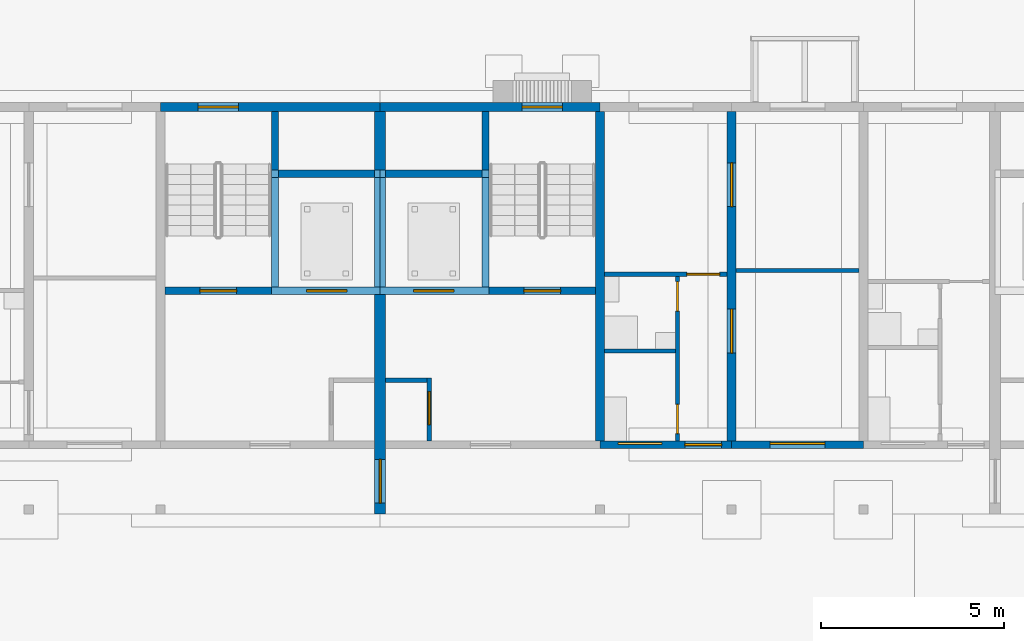
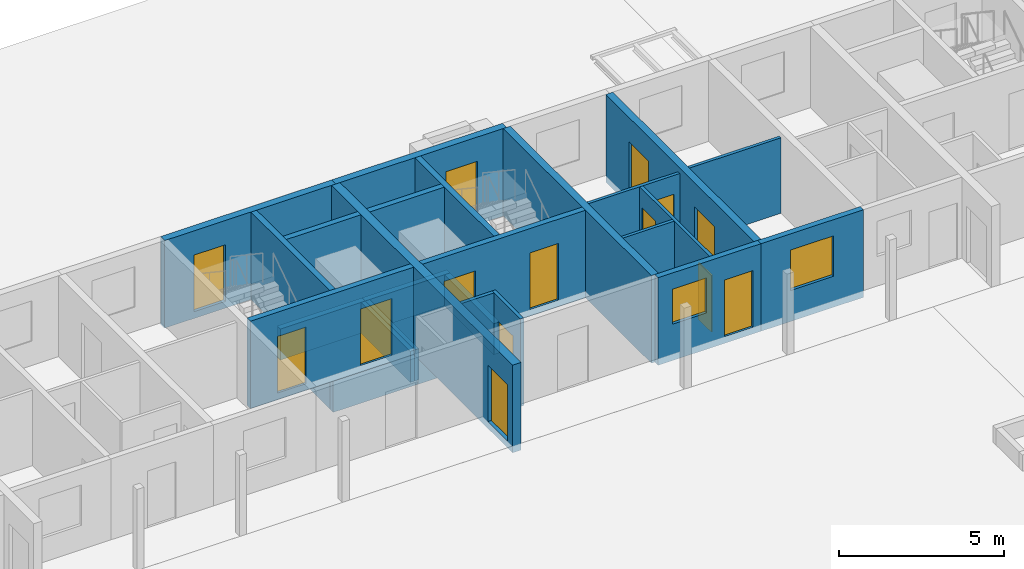
# One storey, part 66 of 112: 27 walls, 14 doors, 2 windows, 16 openings.
"""IFC4 building model written with IfcOpenShell, lengths in metres."""

from ifc_helpers import new_model, si_unit, direction, frame, frame_2d, origin, place, context, subcontext, project, spatial, rectangle, extrude, material, layer, layer_set, type_object, element, fill, save


model = new_model("IFC4")

# Units and contexts
model_context = context("Model", 3, precision=1e-05, world=origin(), true_north=direction((0.0, 1.0)))
body_context = subcontext(model_context, "Body", "Model", "MODEL_VIEW")
ifc_project = project(units=[si_unit("LENGTHUNIT", "METRE"), si_unit("AREAUNIT", "SQUARE_METRE"), si_unit("VOLUMEUNIT", "CUBIC_METRE"), si_unit("PLANEANGLEUNIT", "RADIAN"), si_unit("MASSUNIT", "GRAM", prefix="KILO")], contexts=[model_context])

# Site, building, storey
site_placement = place(None, origin())
site = spatial("IfcSite", under=ifc_project, at=site_placement, CompositionType="ELEMENT")
building_placement = place(site_placement, origin())
building = spatial("IfcBuilding", under=site, at=building_placement, Name="Ridgestep Commons", CompositionType="ELEMENT")
storey_placement = place(building_placement, origin())
storey = spatial("IfcBuildingStorey", under=building, at=storey_placement, Name="L00", CompositionType="ELEMENT", Elevation=0.0)

# Wall
ifc_material_1 = material(Name="Concrete C30/37", Category="concrete")
ifc_layer_1 = layer(ifc_material_1, 0.25)
ifc_layer_set_1 = layer_set([ifc_layer_1], Name="Core cross wall 250")
wall_type_1 = type_object("IfcWallType", Name="Core cross wall 250", PredefinedType="SHEAR", material=ifc_layer_set_1)
wall_1_placement = place(storey_placement, frame((186.39990234375, 68.0, -0.25), z_axis=(0.0, 0.0, 1.0), x_axis=(0.0, 1.0, 0.0)))
element("IfcWall", 1, at=wall_1_placement, inside=storey, type_object=wall_type_1, Name="Cross wall C-00-1864", PredefinedType="SHEAR", context=body_context, shape_type="SweptSolid", body=[
    extrude(rectangle(XDim=9.0, YDim=0.25, at=frame_2d((4.5, 0.0))), origin(), (0.0, 0.0, 1.0), 3.25),
])

# Wall, opening, door
ifc_material_2 = material(Name="Concrete C30/37", Category="concrete")
ifc_layer_2 = layer(ifc_material_2, 0.1201171875)
ifc_layer_set_2 = layer_set([ifc_layer_2], Name="Core wall 120")
wall_type_2 = type_object("IfcWallType", Name="Core wall 120", PredefinedType="SHEAR", material=ifc_layer_set_2)
wall_2_placement = place(storey_placement, frame((181.739990234375, 68.0, -0.25), z_axis=(0.0, 0.0, 1.0), x_axis=(0.0, 1.0, 0.0)))
wall_2 = element("IfcWall", 2, at=wall_2_placement, inside=storey, type_object=wall_type_2, Name="Core riser w wall C3C L00", PredefinedType="SHEAR", context=body_context, shape_type="SweptSolid", body=[
    extrude(rectangle(XDim=1.719970703125, YDim=0.1201171875, at=frame_2d((0.85986328125, 0.0))), origin(), (0.0, 0.0, 1.0), 3.25),
])
opening_1_placement = place(wall_2_placement, frame((0.449951171875, 0.0, 0.25)))
opening_1 = element("IfcOpeningElement", 3, at=opening_1_placement, cuts=wall_2, Name="Opening C3C/00/4", PredefinedType="OPENING", context=body_context, shape_type="SweptSolid", body=[
    extrude(rectangle(XDim=0.89990234375, YDim=2.10009765625, at=frame_2d((0.449951171875, 1.050048828125))), frame((0.0, 0.070068359375, 0.0), z_axis=(0.0, -1.0, 0.0), x_axis=(1.0, 0.0, 0.0)), (0.0, 0.0, 1.0), 0.14013671875),
])
ifc_material_3 = material(Name="Steel fire door", Category="steel")
door_type_1 = type_object("IfcDoorType", Name="Riser door 900 x 2100 FD60", OperationType="NOTDEFINED", PredefinedType="DOOR", material=ifc_material_3)
door_1_placement = place(opening_1_placement, origin())
door_1 = element("IfcDoor", 4, at=door_1_placement, inside=storey, type_object=door_type_1, Name="Riser door C3C/00/4", OperationType="SINGLE_SWING_RIGHT", OverallHeight=2.10009765625, OverallWidth=0.89990234375, PredefinedType="DOOR", context=body_context, shape_type="SweptSolid", body=[
    extrude(rectangle(XDim=0.89990234375, YDim=2.10009765625, at=frame_2d((0.449951171875, 1.050048828125))), frame((0.0, 0.02490234375, 0.0), z_axis=(0.0, -1.0, 0.0), x_axis=(1.0, 0.0, 0.0)), (0.0, 0.0, 1.0), 0.050048828125),
])
fill(opening_1, door_1)

# Walls
wall_3_placement = place(storey_placement, frame((180.550048828125, 69.659912109375, -0.25), z_axis=(0.0, 0.0, 1.0), x_axis=(1.0, 0.0, 0.0)))
element("IfcWall", 5, at=wall_3_placement, inside=storey, type_object=wall_type_2, Name="Core riser n wall C3C L00", PredefinedType="SHEAR", context=body_context, shape_type="SweptSolid", body=[
    extrude(rectangle(XDim=1.1298828125, YDim=0.1201171875, at=frame_2d((0.56494140625, 0.0))), origin(), (0.0, 0.0, 1.0), 3.25),
])
ifc_material_4 = material(Name="Concrete C30/37", Category="concrete")
ifc_layer_3 = layer(ifc_material_4, 0.14990234375)
ifc_layer_set_3 = layer_set([ifc_layer_3], Name="Core wall 150")
wall_type_3 = type_object("IfcWallType", Name="Core wall 150", PredefinedType="SHEAR", material=ifc_layer_set_3)
for number, where, z_axis, x_axis, name in (
    (6, (180.324951171875, 72.199951171875, -1.39990234375), (0.0, 0.0, 1.0), (0.0, 1.0, 0.0), "Lift pit wall C2C"),
    (7, (180.47509765625, 72.199951171875, -1.39990234375), (0.0, 0.0, 1.0), (0.0, 1.0, 0.0), "Lift pit wall C3C"),
):
    element("IfcWall", number, at=place(storey_placement, frame(where, z_axis=z_axis, x_axis=x_axis)), inside=storey, type_object=wall_type_3, Name=name, PredefinedType="SHEAR", context=body_context, shape_type="SweptSolid", body=[
        extrude(rectangle(XDim=3.0, YDim=0.14990234375, at=frame_2d((1.5, 0.0))), origin(), (0.0, 0.0, 1.0), 1.14990234375),
    ])

# Wall, openings, doors
ifc_material_5 = material(Name="Concrete C30/37", Category="concrete")
ifc_layer_4 = layer(ifc_material_5, 0.199951171875)
ifc_layer_set_4 = layer_set([ifc_layer_4], Name="Core wall 200")
wall_type_4 = type_object("IfcWallType", Name="Core wall 200", PredefinedType="SHEAR", material=ifc_layer_set_4)
wall_4_placement = place(storey_placement, frame((174.52490234375, 72.10009765625, -0.25), z_axis=(0.0, 0.0, 1.0), x_axis=(1.0, 0.0, 0.0)))
wall_4 = element("IfcWall", 8, at=wall_4_placement, inside=storey, type_object=wall_type_4, Name="Core lobby wall C2C L00", PredefinedType="SHEAR", context=body_context, shape_type="SweptSolid", body=[
    extrude(rectangle(XDim=5.72509765625, YDim=0.199951171875, at=frame_2d((2.862548828125, 0.0))), origin(), (0.0, 0.0, 1.0), 3.25),
])
opening_2_placement = place(wall_4_placement, frame((0.949951171875, 0.0, 0.25)))
opening_2 = element("IfcOpeningElement", 9, at=opening_2_placement, cuts=wall_4, Name="Opening C2C/00/2", PredefinedType="OPENING", context=body_context, shape_type="SweptSolid", body=[
    extrude(rectangle(XDim=1.0, YDim=2.10009765625, at=frame_2d((0.5, 1.050048828125))), frame((0.0, 0.10986328125, 0.0), z_axis=(0.0, -1.0, 0.0), x_axis=(1.0, 0.0, 0.0)), (0.0, 0.0, 1.0), 0.219970703125),
])
opening_3_placement = place(wall_4_placement, frame((3.862548828125, 0.0, 0.25)))
opening_3 = element("IfcOpeningElement", 10, at=opening_3_placement, cuts=wall_4, Name="Opening C2C/00/3", PredefinedType="OPENING", context=body_context, shape_type="SweptSolid", body=[
    extrude(rectangle(XDim=1.10009765625, YDim=2.10009765625, at=frame_2d((0.550048828125, 1.050048828125))), frame((0.0, 0.10986328125, 0.0), z_axis=(0.0, -1.0, 0.0), x_axis=(1.0, 0.0, 0.0)), (0.0, 0.0, 1.0), 0.219970703125),
])
ifc_material_6 = material(Name="Stainless steel", Category="steel")
door_type_2 = type_object("IfcDoorType", Name="Lift landing door 1100 x 2100 FD60", OperationType="DOUBLE_DOOR_SLIDING", PredefinedType="DOOR", material=ifc_material_6)
door_2_placement = place(opening_3_placement, origin())
door_2 = element("IfcDoor", 11, at=door_2_placement, inside=storey, type_object=door_type_2, Name="Landing door LD C2C L00", OperationType="DOUBLE_DOOR_SLIDING", OverallHeight=2.10009765625, OverallWidth=1.10009765625, PredefinedType="DOOR", context=body_context, shape_type="SweptSolid", body=[
    extrude(rectangle(XDim=1.10009765625, YDim=2.10009765625, at=frame_2d((0.550048828125, 1.050048828125))), frame((0.0, 0.02490234375, 0.0), z_axis=(0.0, -1.0, 0.0), x_axis=(1.0, 0.0, 0.0)), (0.0, 0.0, 1.0), 0.050048828125),
])
fill(opening_3, door_2)
ifc_material_7 = material(Name="Steel fire door", Category="steel")
door_type_3 = type_object("IfcDoorType", Name="Stair door 1000 x 2100 FD60", OperationType="NOTDEFINED", PredefinedType="DOOR", material=ifc_material_7)
door_3_placement = place(opening_2_placement, origin())
door_3 = element("IfcDoor", 12, at=door_3_placement, inside=storey, type_object=door_type_3, Name="Stair door C2C/00/2", OperationType="SINGLE_SWING_RIGHT", OverallHeight=2.10009765625, OverallWidth=1.0, PredefinedType="DOOR", context=body_context, shape_type="SweptSolid", body=[
    extrude(rectangle(XDim=1.0, YDim=2.10009765625, at=frame_2d((0.5, 1.050048828125))), frame((0.0, 0.02490234375, 0.0), z_axis=(0.0, -1.0, 0.0), x_axis=(1.0, 0.0, 0.0)), (0.0, 0.0, 1.0), 0.050048828125),
])
fill(opening_2, door_3)

# Walls
wall_5_placement = place(storey_placement, frame((177.52490234375, 72.199951171875, -0.25), z_axis=(0.0, 0.0, 1.0), x_axis=(0.0, 1.0, 0.0)))
element("IfcWall", 13, at=wall_5_placement, inside=storey, type_object=wall_type_4, Name="Core stair wall C2C L00", PredefinedType="SHEAR", context=body_context, shape_type="SweptSolid", body=[
    extrude(rectangle(XDim=4.800048828125, YDim=0.199951171875, at=frame_2d((2.39990234375, 0.0))), origin(), (0.0, 0.0, 1.0), 3.25),
])
wall_6_placement = place(storey_placement, frame((177.625, 75.300048828125, -0.25), z_axis=(0.0, 0.0, 1.0), x_axis=(1.0, 0.0, 0.0)))
element("IfcWall", 14, at=wall_6_placement, inside=storey, type_object=wall_type_4, Name="Core duct wall C2C L00", PredefinedType="SHEAR", context=body_context, shape_type="SweptSolid", body=[
    extrude(rectangle(XDim=2.625, YDim=0.199951171875, at=frame_2d((1.3125, 0.0))), origin(), (0.0, 0.0, 1.0), 3.25),
])

# Wall, openings, doors
wall_7_placement = place(storey_placement, frame((180.550048828125, 72.10009765625, -0.25), z_axis=(0.0, 0.0, 1.0), x_axis=(1.0, 0.0, 0.0)))
wall_7 = element("IfcWall", 15, at=wall_7_placement, inside=storey, type_object=wall_type_4, Name="Core lobby wall C3C L00", PredefinedType="SHEAR", context=body_context, shape_type="SweptSolid", body=[
    extrude(rectangle(XDim=5.724853515625, YDim=0.199951171875, at=frame_2d((2.8623046875, 0.0))), origin(), (0.0, 0.0, 1.0), 3.25),
])
opening_4_placement = place(wall_7_placement, frame((3.77490234375, 0.0, 0.25)))
opening_4 = element("IfcOpeningElement", 16, at=opening_4_placement, cuts=wall_7, Name="Opening C3C/00/2", PredefinedType="OPENING", context=body_context, shape_type="SweptSolid", body=[
    extrude(rectangle(XDim=1.0, YDim=2.10009765625, at=frame_2d((0.5, 1.050048828125))), frame((0.0, 0.10986328125, 0.0), z_axis=(0.0, -1.0, 0.0), x_axis=(1.0, 0.0, 0.0)), (0.0, 0.0, 1.0), 0.219970703125),
])
opening_5_placement = place(wall_7_placement, frame((0.762451171875, 0.0, 0.25)))
opening_5 = element("IfcOpeningElement", 17, at=opening_5_placement, cuts=wall_7, Name="Opening C3C/00/3", PredefinedType="OPENING", context=body_context, shape_type="SweptSolid", body=[
    extrude(rectangle(XDim=1.10009765625, YDim=2.10009765625, at=frame_2d((0.550048828125, 1.050048828125))), frame((0.0, 0.10986328125, 0.0), z_axis=(0.0, -1.0, 0.0), x_axis=(1.0, 0.0, 0.0)), (0.0, 0.0, 1.0), 0.219970703125),
])
door_4_placement = place(opening_5_placement, origin())
door_4 = element("IfcDoor", 18, at=door_4_placement, inside=storey, type_object=door_type_2, Name="Landing door LD C3C L00", OperationType="DOUBLE_DOOR_SLIDING", OverallHeight=2.10009765625, OverallWidth=1.10009765625, PredefinedType="DOOR", context=body_context, shape_type="SweptSolid", body=[
    extrude(rectangle(XDim=1.10009765625, YDim=2.10009765625, at=frame_2d((0.550048828125, 1.050048828125))), frame((0.0, 0.02490234375, 0.0), z_axis=(0.0, -1.0, 0.0), x_axis=(1.0, 0.0, 0.0)), (0.0, 0.0, 1.0), 0.050048828125),
])
fill(opening_5, door_4)
door_5_placement = place(opening_4_placement, origin())
door_5 = element("IfcDoor", 19, at=door_5_placement, inside=storey, type_object=door_type_3, Name="Stair door C3C/00/2", OperationType="SINGLE_SWING_RIGHT", OverallHeight=2.10009765625, OverallWidth=1.0, PredefinedType="DOOR", context=body_context, shape_type="SweptSolid", body=[
    extrude(rectangle(XDim=1.0, YDim=2.10009765625, at=frame_2d((0.5, 1.050048828125))), frame((0.0, 0.02490234375, 0.0), z_axis=(0.0, -1.0, 0.0), x_axis=(1.0, 0.0, 0.0)), (0.0, 0.0, 1.0), 0.050048828125),
])
fill(opening_4, door_5)

# Walls
wall_8_placement = place(storey_placement, frame((183.27490234375, 72.199951171875, -0.25), z_axis=(0.0, 0.0, 1.0), x_axis=(0.0, 1.0, 0.0)))
element("IfcWall", 20, at=wall_8_placement, inside=storey, type_object=wall_type_4, Name="Core stair wall C3C L00", PredefinedType="SHEAR", context=body_context, shape_type="SweptSolid", body=[
    extrude(rectangle(XDim=4.800048828125, YDim=0.199951171875, at=frame_2d((2.39990234375, 0.0))), origin(), (0.0, 0.0, 1.0), 3.25),
])
wall_9_placement = place(storey_placement, frame((180.550048828125, 75.300048828125, -0.25), z_axis=(0.0, 0.0, 1.0), x_axis=(1.0, 0.0, 0.0)))
element("IfcWall", 21, at=wall_9_placement, inside=storey, type_object=wall_type_4, Name="Core duct wall C3C L00", PredefinedType="SHEAR", context=body_context, shape_type="SweptSolid", body=[
    extrude(rectangle(XDim=2.625, YDim=0.199951171875, at=frame_2d((1.3125, 0.0))), origin(), (0.0, 0.0, 1.0), 3.25),
])
for number, where, z_axis, x_axis, name in (
    (22, (177.425048828125, 72.10009765625, -1.39990234375), (0.0, 0.0, 1.0), (1.0, 0.0, 0.0), "Lift pit wall C2C"),
    (23, (177.425048828125, 75.300048828125, -1.39990234375), (0.0, 0.0, 1.0), (1.0, 0.0, 0.0), "Lift pit wall C2C"),
):
    element("IfcWall", number, at=place(storey_placement, frame(where, z_axis=z_axis, x_axis=x_axis)), inside=storey, type_object=wall_type_4, Name=name, PredefinedType="SHEAR", context=body_context, shape_type="SweptSolid", body=[
        extrude(rectangle(XDim=2.974853515625, YDim=0.199951171875, at=frame_2d((1.4873046875, 0.0))), origin(), (0.0, 0.0, 1.0), 1.14990234375),
    ])
wall_10_placement = place(storey_placement, frame((177.52490234375, 72.199951171875, -1.39990234375), z_axis=(0.0, 0.0, 1.0), x_axis=(0.0, 1.0, 0.0)))
element("IfcWall", 24, at=wall_10_placement, inside=storey, type_object=wall_type_4, Name="Lift pit wall C2C", PredefinedType="SHEAR", context=body_context, shape_type="SweptSolid", body=[
    extrude(rectangle(XDim=3.0, YDim=0.199951171875, at=frame_2d((1.5, 0.0))), origin(), (0.0, 0.0, 1.0), 1.14990234375),
])
for number, where, z_axis, x_axis, name in (
    (25, (180.39990234375, 72.10009765625, -1.39990234375), (0.0, 0.0, 1.0), (1.0, 0.0, 0.0), "Lift pit wall C3C"),
    (26, (180.39990234375, 75.300048828125, -1.39990234375), (0.0, 0.0, 1.0), (1.0, 0.0, 0.0), "Lift pit wall C3C"),
):
    element("IfcWall", number, at=place(storey_placement, frame(where, z_axis=z_axis, x_axis=x_axis)), inside=storey, type_object=wall_type_4, Name=name, PredefinedType="SHEAR", context=body_context, shape_type="SweptSolid", body=[
        extrude(rectangle(XDim=2.97509765625, YDim=0.199951171875, at=frame_2d((1.487548828125, 0.0))), origin(), (0.0, 0.0, 1.0), 1.14990234375),
    ])
wall_11_placement = place(storey_placement, frame((183.27490234375, 72.199951171875, -1.39990234375), z_axis=(0.0, 0.0, 1.0), x_axis=(0.0, 1.0, 0.0)))
element("IfcWall", 27, at=wall_11_placement, inside=storey, type_object=wall_type_4, Name="Lift pit wall C3C", PredefinedType="SHEAR", context=body_context, shape_type="SweptSolid", body=[
    extrude(rectangle(XDim=3.0, YDim=0.199951171875, at=frame_2d((1.5, 0.0))), origin(), (0.0, 0.0, 1.0), 1.14990234375),
])

# Wall, openings, doors
ifc_material_8 = material(Name="Precast concrete C40/50", Category="concrete")
ifc_layer_5 = layer(ifc_material_8, 0.25)
ifc_layer_set_5 = layer_set([ifc_layer_5], Name="Cross wall 250")
wall_type_5 = type_object("IfcWallType", Name="Cross wall 250", PredefinedType="SHEAR", material=ifc_layer_set_5)
wall_12_placement = place(storey_placement, frame((190.0, 68.0, -0.25), z_axis=(0.0, 0.0, 1.0), x_axis=(0.0, 1.0, 0.0)))
wall_12 = element("IfcWall", 28, at=wall_12_placement, inside=storey, type_object=wall_type_5, Name="Cross wall C-00-1900", PredefinedType="SHEAR", context=body_context, shape_type="SweptSolid", body=[
    extrude(rectangle(XDim=9.0, YDim=0.25, at=frame_2d((4.5, 0.0))), origin(), (0.0, 0.0, 1.0), 3.25),
])
opening_6_placement = place(wall_12_placement, frame((2.39990234375, 0.0, 0.25)))
opening_6 = element("IfcOpeningElement", 29, at=opening_6_placement, cuts=wall_12, Name="Opening C3-00b/5", PredefinedType="OPENING", context=body_context, shape_type="SweptSolid", body=[
    extrude(rectangle(XDim=1.199951171875, YDim=2.10009765625, at=frame_2d((0.60009765625, 1.050048828125))), frame((0.0, 0.135009765625, 0.0), z_axis=(0.0, -1.0, 0.0), x_axis=(1.0, 0.0, 0.0)), (0.0, 0.0, 1.0), 0.27001953125),
])
opening_7_placement = place(wall_12_placement, frame((6.39990234375, 0.0, 0.25)))
opening_7 = element("IfcOpeningElement", 30, at=opening_7_placement, cuts=wall_12, Name="Opening C3-00b/6", PredefinedType="OPENING", context=body_context, shape_type="SweptSolid", body=[
    extrude(rectangle(XDim=1.199951171875, YDim=2.10009765625, at=frame_2d((0.60009765625, 1.050048828125))), frame((0.0, 0.135009765625, 0.0), z_axis=(0.0, -1.0, 0.0), x_axis=(1.0, 0.0, 0.0)), (0.0, 0.0, 1.0), 0.27001953125),
])
ifc_material_9 = material(Name="Timber door leaf", Category="wood")
door_type_4 = type_object("IfcDoorType", Name="Double door 1200 x 2100", OperationType="DOUBLE_DOOR_SINGLE_SWING", PredefinedType="DOOR", material=ifc_material_9)
door_6_placement = place(opening_6_placement, origin())
door_6 = element("IfcDoor", 31, at=door_6_placement, inside=storey, type_object=door_type_4, Name="Double door C3-00b/5", OperationType="DOUBLE_DOOR_SINGLE_SWING", OverallHeight=2.10009765625, OverallWidth=1.199951171875, PredefinedType="DOOR", context=body_context, shape_type="SweptSolid", body=[
    extrude(rectangle(XDim=1.199951171875, YDim=2.10009765625, at=frame_2d((0.60009765625, 1.050048828125))), frame((0.0, 0.02490234375, 0.0), z_axis=(0.0, -1.0, 0.0), x_axis=(1.0, 0.0, 0.0)), (0.0, 0.0, 1.0), 0.050048828125),
])
fill(opening_6, door_6)
door_7_placement = place(opening_7_placement, origin())
door_7 = element("IfcDoor", 32, at=door_7_placement, inside=storey, type_object=door_type_4, Name="Double door C3-00b/6", OperationType="DOUBLE_DOOR_SINGLE_SWING", OverallHeight=2.10009765625, OverallWidth=1.199951171875, PredefinedType="DOOR", context=body_context, shape_type="SweptSolid", body=[
    extrude(rectangle(XDim=1.199951171875, YDim=2.10009765625, at=frame_2d((0.60009765625, 1.050048828125))), frame((0.0, 0.02490234375, 0.0), z_axis=(0.0, -1.0, 0.0), x_axis=(1.0, 0.0, 0.0)), (0.0, 0.0, 1.0), 0.050048828125),
])
fill(opening_7, door_7)

# Wall, opening, door
ifc_material_10 = material(Name="Precast concrete C40/50", Category="concrete")
ifc_layer_6 = layer(ifc_material_10, 0.300048828125)
ifc_layer_set_6 = layer_set([ifc_layer_6], Name="Division wall 300")
wall_type_6 = type_object("IfcWallType", Name="Division wall 300", PredefinedType="SHEAR", material=ifc_layer_set_6)
wall_13_placement = place(storey_placement, frame((180.39990234375, 66.0, -0.25), z_axis=(0.0, 0.0, 1.0), x_axis=(0.0, 1.0, 0.0)))
wall_13 = element("IfcWall", 33, at=wall_13_placement, inside=storey, type_object=wall_type_6, Name="Cross wall C-00-1804", PredefinedType="SHEAR", context=body_context, shape_type="SweptSolid", body=[
    extrude(rectangle(XDim=11.0, YDim=0.300048828125, at=frame_2d((5.5, 0.0))), origin(), (0.0, 0.0, 1.0), 3.25),
])
opening_8_placement = place(wall_13_placement, frame((0.300048828125, 0.0, 0.25)))
opening_8 = element("IfcOpeningElement", 34, at=opening_8_placement, cuts=wall_13, Name="Opening C/00/G1804", PredefinedType="OPENING", context=body_context, shape_type="SweptSolid", body=[
    extrude(rectangle(XDim=1.199951171875, YDim=2.10009765625, at=frame_2d((0.60009765625, 1.050048828125))), frame((0.0, 0.159912109375, 0.0), z_axis=(0.0, -1.0, 0.0), x_axis=(1.0, 0.0, 0.0)), (0.0, 0.0, 1.0), 0.320068359375),
])
ifc_material_11 = material(Name="Steel fire door", Category="steel")
door_type_5 = type_object("IfcDoorType", Name="Division fire door 1200 x 2100 EI 240", OperationType="DOUBLE_DOOR_SINGLE_SWING", PredefinedType="DOOR", material=ifc_material_11)
door_8_placement = place(opening_8_placement, origin())
door_8 = element("IfcDoor", 35, at=door_8_placement, inside=storey, type_object=door_type_5, Name="Division fire door C/00/G1804", OperationType="DOUBLE_DOOR_SINGLE_SWING", OverallHeight=2.10009765625, OverallWidth=1.199951171875, PredefinedType="DOOR", context=body_context, shape_type="SweptSolid", body=[
    extrude(rectangle(XDim=1.199951171875, YDim=2.10009765625, at=frame_2d((0.60009765625, 1.050048828125))), frame((0.0, 0.02490234375, 0.0), z_axis=(0.0, -1.0, 0.0), x_axis=(1.0, 0.0, 0.0)), (0.0, 0.0, 1.0), 0.050048828125),
])
fill(opening_8, door_8)

ifc_material_12 = material(Name="Precast concrete C40/50", Category="concrete")
ifc_layer_7 = layer(ifc_material_12, 0.25)
ifc_layer_set_7 = layer_set([ifc_layer_7], Name="North facade panel 250")
wall_type_7 = type_object("IfcWallType", Name="North facade panel 250", PredefinedType="SOLIDWALL", material=ifc_layer_set_7)
wall_14_placement = place(storey_placement, frame((174.39990234375, 77.125, -0.25), z_axis=(0.0, 0.0, 1.0), x_axis=(1.0, 0.0, 0.0)))
wall_14 = element("IfcWall", 36, at=wall_14_placement, inside=storey, type_object=wall_type_7, Name="North panel C2C L00", PredefinedType="SOLIDWALL", context=body_context, shape_type="SweptSolid", body=[
    extrude(rectangle(XDim=6.0, YDim=0.25, at=frame_2d((3.0, 0.0))), origin(), (0.0, 0.0, 1.0), 3.25),
])
opening_9_placement = place(wall_14_placement, frame((1.02490234375, 0.0, 0.25)))
opening_9 = element("IfcOpeningElement", 37, at=opening_9_placement, cuts=wall_14, Name="Opening C2C/00/5", PredefinedType="OPENING", context=body_context, shape_type="SweptSolid", body=[
    extrude(rectangle(XDim=1.10009765625, YDim=2.10009765625, at=frame_2d((0.550048828125, 1.050048828125))), frame((0.0, 0.135009765625, 0.0), z_axis=(0.0, -1.0, 0.0), x_axis=(1.0, 0.0, 0.0)), (0.0, 0.0, 1.0), 0.27001953125),
])
ifc_material_13 = material(Name="Steel fire door", Category="steel")
door_type_6 = type_object("IfcDoorType", Name="Stair exit door 1100 x 2100 FD60", OperationType="NOTDEFINED", PredefinedType="DOOR", material=ifc_material_13)
door_9_placement = place(opening_9_placement, origin())
door_9 = element("IfcDoor", 38, at=door_9_placement, inside=storey, type_object=door_type_6, Name="Stair exit door C2C/00/5", OperationType="SINGLE_SWING_LEFT", OverallHeight=2.10009765625, OverallWidth=1.10009765625, PredefinedType="DOOR", context=body_context, shape_type="SweptSolid", body=[
    extrude(rectangle(XDim=1.10009765625, YDim=2.10009765625, at=frame_2d((0.550048828125, 1.050048828125))), frame((0.0, 0.02490234375, 0.0), z_axis=(0.0, -1.0, 0.0), x_axis=(1.0, 0.0, 0.0)), (0.0, 0.0, 1.0), 0.050048828125),
])
fill(opening_9, door_9)

wall_15_placement = place(storey_placement, frame((180.39990234375, 77.125, -0.25), z_axis=(0.0, 0.0, 1.0), x_axis=(1.0, 0.0, 0.0)))
wall_15 = element("IfcWall", 39, at=wall_15_placement, inside=storey, type_object=wall_type_7, Name="North panel C3C L00", PredefinedType="SOLIDWALL", context=body_context, shape_type="SweptSolid", body=[
    extrude(rectangle(XDim=6.0, YDim=0.25, at=frame_2d((3.0, 0.0))), origin(), (0.0, 0.0, 1.0), 3.25),
])
opening_10_placement = place(wall_15_placement, frame((3.875, 0.0, 0.25)))
opening_10 = element("IfcOpeningElement", 40, at=opening_10_placement, cuts=wall_15, Name="Opening C3C/00/5", PredefinedType="OPENING", context=body_context, shape_type="SweptSolid", body=[
    extrude(rectangle(XDim=1.10009765625, YDim=2.10009765625, at=frame_2d((0.550048828125, 1.050048828125))), frame((0.0, 0.135009765625, 0.0), z_axis=(0.0, -1.0, 0.0), x_axis=(1.0, 0.0, 0.0)), (0.0, 0.0, 1.0), 0.27001953125),
])
door_10_placement = place(opening_10_placement, origin())
door_10 = element("IfcDoor", 41, at=door_10_placement, inside=storey, type_object=door_type_6, Name="Stair exit door C3C/00/5", OperationType="SINGLE_SWING_LEFT", OverallHeight=2.10009765625, OverallWidth=1.10009765625, PredefinedType="DOOR", context=body_context, shape_type="SweptSolid", body=[
    extrude(rectangle(XDim=1.10009765625, YDim=2.10009765625, at=frame_2d((0.550048828125, 1.050048828125))), frame((0.0, 0.02490234375, 0.0), z_axis=(0.0, -1.0, 0.0), x_axis=(1.0, 0.0, 0.0)), (0.0, 0.0, 1.0), 0.050048828125),
])
fill(opening_10, door_10)

# Wall
ifc_material_14 = material(Name="Common brick 110 mm", Category="masonry")
ifc_layer_8 = layer(ifc_material_14, 0.110107421875)
ifc_layer_set_8 = layer_set([ifc_layer_8], Name="Partition 110")
wall_type_8 = type_object("IfcWallType", Name="Partition 110", PredefinedType="PARTITIONING", material=ifc_layer_set_8)
wall_16_placement = place(storey_placement, frame((186.52490234375, 70.455078125, 0.0), z_axis=(0.0, 0.0, 1.0), x_axis=(1.0, 0.0, 0.0)))
element("IfcWall", 42, at=wall_16_placement, inside=storey, type_object=wall_type_8, Name="Partition C3-00b", PredefinedType="PARTITIONING", context=body_context, shape_type="SweptSolid", body=[
    extrude(rectangle(XDim=1.940185546875, YDim=0.110107421875, at=frame_2d((0.97021484375, 0.0))), origin(), (0.0, 0.0, 1.0), 2.800048828125),
])

# Wall, openings, doors
wall_17_placement = place(storey_placement, frame((188.52001953125, 68.0, 0.0), z_axis=(0.0, 0.0, 1.0), x_axis=(0.0, 1.0, 0.0)))
wall_17 = element("IfcWall", 43, at=wall_17_placement, inside=storey, type_object=wall_type_8, Name="Partition C3-00b", PredefinedType="PARTITIONING", context=body_context, shape_type="SweptSolid", body=[
    extrude(rectangle(XDim=4.5, YDim=0.110107421875, at=frame_2d((2.25, 0.0))), origin(), (0.0, 0.0, 1.0), 2.800048828125),
])
opening_11_placement = place(wall_17_placement, frame((0.199951171875, 0.0, 0.0)))
opening_11 = element("IfcOpeningElement", 44, at=opening_11_placement, cuts=wall_17, Name="Opening C3-00b/2", PredefinedType="OPENING", context=body_context, shape_type="SweptSolid", body=[
    extrude(rectangle(XDim=0.800048828125, YDim=2.10009765625, at=frame_2d((0.39990234375, 1.050048828125))), frame((0.0, 0.06494140625, 0.0), z_axis=(0.0, -1.0, 0.0), x_axis=(1.0, 0.0, 0.0)), (0.0, 0.0, 1.0), 0.130126953125),
])
opening_12_placement = place(wall_17_placement, frame((3.550048828125, 0.0, 0.0)))
opening_12 = element("IfcOpeningElement", 45, at=opening_12_placement, cuts=wall_17, Name="Opening C3-00b/3", PredefinedType="OPENING", context=body_context, shape_type="SweptSolid", body=[
    extrude(rectangle(XDim=0.800048828125, YDim=2.10009765625, at=frame_2d((0.39990234375, 1.050048828125))), frame((0.0, 0.06494140625, 0.0), z_axis=(0.0, -1.0, 0.0), x_axis=(1.0, 0.0, 0.0)), (0.0, 0.0, 1.0), 0.130126953125),
])
ifc_material_15 = material(Name="Timber door leaf", Category="wood")
door_type_7 = type_object("IfcDoorType", Name="Internal door 800 x 2100", OperationType="NOTDEFINED", PredefinedType="DOOR", material=ifc_material_15)
door_11_placement = place(opening_11_placement, origin())
door_11 = element("IfcDoor", 46, at=door_11_placement, inside=storey, type_object=door_type_7, Name="Internal door C3-00b/2", OperationType="SINGLE_SWING_LEFT", OverallHeight=2.10009765625, OverallWidth=0.800048828125, PredefinedType="DOOR", context=body_context, shape_type="SweptSolid", body=[
    extrude(rectangle(XDim=0.800048828125, YDim=2.10009765625, at=frame_2d((0.39990234375, 1.050048828125))), frame((0.0, 0.02490234375, 0.0), z_axis=(0.0, -1.0, 0.0), x_axis=(1.0, 0.0, 0.0)), (0.0, 0.0, 1.0), 0.050048828125),
])
fill(opening_11, door_11)
door_12_placement = place(opening_12_placement, origin())
door_12 = element("IfcDoor", 47, at=door_12_placement, inside=storey, type_object=door_type_7, Name="Internal door C3-00b/3", OperationType="SINGLE_SWING_RIGHT", OverallHeight=2.10009765625, OverallWidth=0.800048828125, PredefinedType="DOOR", context=body_context, shape_type="SweptSolid", body=[
    extrude(rectangle(XDim=0.800048828125, YDim=2.10009765625, at=frame_2d((0.39990234375, 1.050048828125))), frame((0.0, 0.02490234375, 0.0), z_axis=(0.0, -1.0, 0.0), x_axis=(1.0, 0.0, 0.0)), (0.0, 0.0, 1.0), 0.050048828125),
])
fill(opening_12, door_12)

# Wall, opening, door
wall_18_placement = place(storey_placement, frame((186.52490234375, 72.554931640625, 0.0), z_axis=(0.0, 0.0, 1.0), x_axis=(1.0, 0.0, 0.0)))
wall_18 = element("IfcWall", 48, at=wall_18_placement, inside=storey, type_object=wall_type_8, Name="Partition C3-00b", PredefinedType="PARTITIONING", context=body_context, shape_type="SweptSolid", body=[
    extrude(rectangle(XDim=3.35009765625, YDim=0.110107421875, at=frame_2d((1.675048828125, 0.0))), origin(), (0.0, 0.0, 1.0), 2.800048828125),
])
opening_13_placement = place(wall_18_placement, frame((2.25, 0.0, 0.0)))
opening_13 = element("IfcOpeningElement", 49, at=opening_13_placement, cuts=wall_18, Name="Opening C3-00b/4", PredefinedType="OPENING", context=body_context, shape_type="SweptSolid", body=[
    extrude(rectangle(XDim=0.89990234375, YDim=2.10009765625, at=frame_2d((0.449951171875, 1.050048828125))), frame((0.0, 0.06494140625, 0.0), z_axis=(0.0, -1.0, 0.0), x_axis=(1.0, 0.0, 0.0)), (0.0, 0.0, 1.0), 0.130126953125),
])
ifc_material_16 = material(Name="Timber door leaf", Category="wood")
door_type_8 = type_object("IfcDoorType", Name="Internal door 900 x 2100", OperationType="NOTDEFINED", PredefinedType="DOOR", material=ifc_material_16)
door_13_placement = place(opening_13_placement, origin())
door_13 = element("IfcDoor", 50, at=door_13_placement, inside=storey, type_object=door_type_8, Name="Internal door C3-00b/4", OperationType="SINGLE_SWING_LEFT", OverallHeight=2.10009765625, OverallWidth=0.89990234375, PredefinedType="DOOR", context=body_context, shape_type="SweptSolid", body=[
    extrude(rectangle(XDim=0.89990234375, YDim=2.10009765625, at=frame_2d((0.449951171875, 1.050048828125))), frame((0.0, 0.02490234375, 0.0), z_axis=(0.0, -1.0, 0.0), x_axis=(1.0, 0.0, 0.0)), (0.0, 0.0, 1.0), 0.050048828125),
])
fill(opening_13, door_13)

# Wall
wall_19_placement = place(storey_placement, frame((190.125, 72.655029296875, 0.0), z_axis=(0.0, 0.0, 1.0), x_axis=(1.0, 0.0, 0.0)))
element("IfcWall", 51, at=wall_19_placement, inside=storey, type_object=wall_type_8, Name="Partition C3-00b", PredefinedType="PARTITIONING", context=body_context, shape_type="SweptSolid", body=[
    extrude(rectangle(XDim=3.35009765625, YDim=0.110107421875, at=frame_2d((1.675048828125, 0.0))), origin(), (0.0, 0.0, 1.0), 2.800048828125),
])

# Wall, openings, door, window
ifc_material_17 = material(Name="Precast concrete C40/50", Category="concrete")
ifc_layer_9 = layer(ifc_material_17, 0.199951171875)
ifc_layer_set_9 = layer_set([ifc_layer_9], Name="South facade panel 200")
wall_type_9 = type_object("IfcWallType", Name="South facade panel 200", PredefinedType="SOLIDWALL", material=ifc_layer_set_9)
wall_20_placement = place(storey_placement, frame((186.39990234375, 67.89990234375, -0.25), z_axis=(0.0, 0.0, 1.0), x_axis=(1.0, 0.0, 0.0)))
wall_20 = element("IfcWall", 52, at=wall_20_placement, inside=storey, type_object=wall_type_9, Name="South panel C3T3 L00", PredefinedType="SOLIDWALL", context=body_context, shape_type="SweptSolid", body=[
    extrude(rectangle(XDim=3.60009765625, YDim=0.199951171875, at=frame_2d((1.800048828125, 0.0))), origin(), (0.0, 0.0, 1.0), 3.25),
])
opening_14_placement = place(wall_20_placement, frame((0.4951171875, 0.0, 1.35009765625)))
opening_14 = element("IfcOpeningElement", 53, at=opening_14_placement, cuts=wall_20, Name="Opening W08", PredefinedType="OPENING", context=body_context, shape_type="SweptSolid", body=[
    extrude(rectangle(XDim=1.199951171875, YDim=1.300048828125, at=frame_2d((0.60009765625, 0.64990234375))), frame((0.0, 0.10986328125, 0.0), z_axis=(0.0, -1.0, 0.0), x_axis=(1.0, 0.0, 0.0)), (0.0, 0.0, 1.0), 0.219970703125),
])
opening_15_placement = place(wall_20_placement, frame((2.324951171875, 0.0, 0.25)))
opening_15 = element("IfcOpeningElement", 54, at=opening_15_placement, cuts=wall_20, Name="Opening C3-00b/1", PredefinedType="OPENING", context=body_context, shape_type="SweptSolid", body=[
    extrude(rectangle(XDim=1.0, YDim=2.10009765625, at=frame_2d((0.5, 1.050048828125))), frame((0.0, 0.10986328125, 0.0), z_axis=(0.0, -1.0, 0.0), x_axis=(1.0, 0.0, 0.0)), (0.0, 0.0, 1.0), 0.219970703125),
])
ifc_material_18 = material(Name="Timber door leaf", Category="wood")
door_type_9 = type_object("IfcDoorType", Name="Flat entrance door 1000 x 2100 FD30S", OperationType="NOTDEFINED", PredefinedType="DOOR", material=ifc_material_18)
door_14_placement = place(opening_15_placement, origin())
door_14 = element("IfcDoor", 55, at=door_14_placement, inside=storey, type_object=door_type_9, Name="Flat entrance door C3-00b/1", OperationType="SINGLE_SWING_RIGHT", OverallHeight=2.10009765625, OverallWidth=1.0, PredefinedType="DOOR", context=body_context, shape_type="SweptSolid", body=[
    extrude(rectangle(XDim=1.0, YDim=2.10009765625, at=frame_2d((0.5, 1.050048828125))), frame((0.0, 0.02490234375, 0.0), z_axis=(0.0, -1.0, 0.0), x_axis=(1.0, 0.0, 0.0)), (0.0, 0.0, 1.0), 0.050048828125),
])
fill(opening_15, door_14)
ifc_material_19 = material(Name="Aluminium 6063-T6 and glass", Category="aluminium")
window_type_1 = type_object("IfcWindowType", Name="Flat window 1200 x 1300", PartitioningType="SINGLE_PANEL", PredefinedType="WINDOW", material=ifc_material_19)
window_1_placement = place(opening_14_placement, origin())
window_1 = element("IfcWindow", 56, at=window_1_placement, inside=storey, type_object=window_type_1, Name="Window C3-00b 3", OverallHeight=1.300048828125, OverallWidth=1.199951171875, PartitioningType="SINGLE_PANEL", PredefinedType="WINDOW", context=body_context, shape_type="SweptSolid", body=[
    extrude(rectangle(XDim=1.199951171875, YDim=1.300048828125, at=frame_2d((0.60009765625, 0.64990234375))), frame((0.0, 0.06005859375, 0.0), z_axis=(0.0, -1.0, 0.0), x_axis=(1.0, 0.0, 0.0)), (0.0, 0.0, 1.0), 0.06005859375),
])
fill(opening_14, window_1)

# Wall, opening, window
wall_21_placement = place(storey_placement, frame((190.0, 67.89990234375, -0.25), z_axis=(0.0, 0.0, 1.0), x_axis=(1.0, 0.0, 0.0)))
wall_21 = element("IfcWall", 57, at=wall_21_placement, inside=storey, type_object=wall_type_9, Name="South panel C3T2 L00", PredefinedType="SOLIDWALL", context=body_context, shape_type="SweptSolid", body=[
    extrude(rectangle(XDim=3.60009765625, YDim=0.199951171875, at=frame_2d((1.800048828125, 0.0))), origin(), (0.0, 0.0, 1.0), 3.25),
])
opening_16_placement = place(wall_21_placement, frame((1.050048828125, 0.0, 1.14990234375)))
opening_16 = element("IfcOpeningElement", 58, at=opening_16_placement, cuts=wall_21, Name="Opening W16", PredefinedType="OPENING", context=body_context, shape_type="SweptSolid", body=[
    extrude(rectangle(XDim=1.5, YDim=1.5, at=frame_2d((0.75, 0.75))), frame((0.0, 0.10986328125, 0.0), z_axis=(0.0, -1.0, 0.0), x_axis=(1.0, 0.0, 0.0)), (0.0, 0.0, 1.0), 0.219970703125),
])
ifc_material_20 = material(Name="Aluminium 6063-T6 and glass", Category="aluminium")
window_type_2 = type_object("IfcWindowType", Name="Flat window 1500 x 1500", PartitioningType="DOUBLE_PANEL_VERTICAL", PredefinedType="WINDOW", material=ifc_material_20)
window_2_placement = place(opening_16_placement, origin())
window_2 = element("IfcWindow", 59, at=window_2_placement, inside=storey, type_object=window_type_2, Name="Window C3-00b 1", OverallHeight=1.5, OverallWidth=1.5, PartitioningType="SINGLE_PANEL", PredefinedType="WINDOW", context=body_context, shape_type="SweptSolid", body=[
    extrude(rectangle(XDim=1.5, YDim=1.5, at=frame_2d((0.75, 0.75))), frame((0.0, 0.06005859375, 0.0), z_axis=(0.0, -1.0, 0.0), x_axis=(1.0, 0.0, 0.0)), (0.0, 0.0, 1.0), 0.06005859375),
])
fill(opening_16, window_2)

save(model, "model.ifc")
